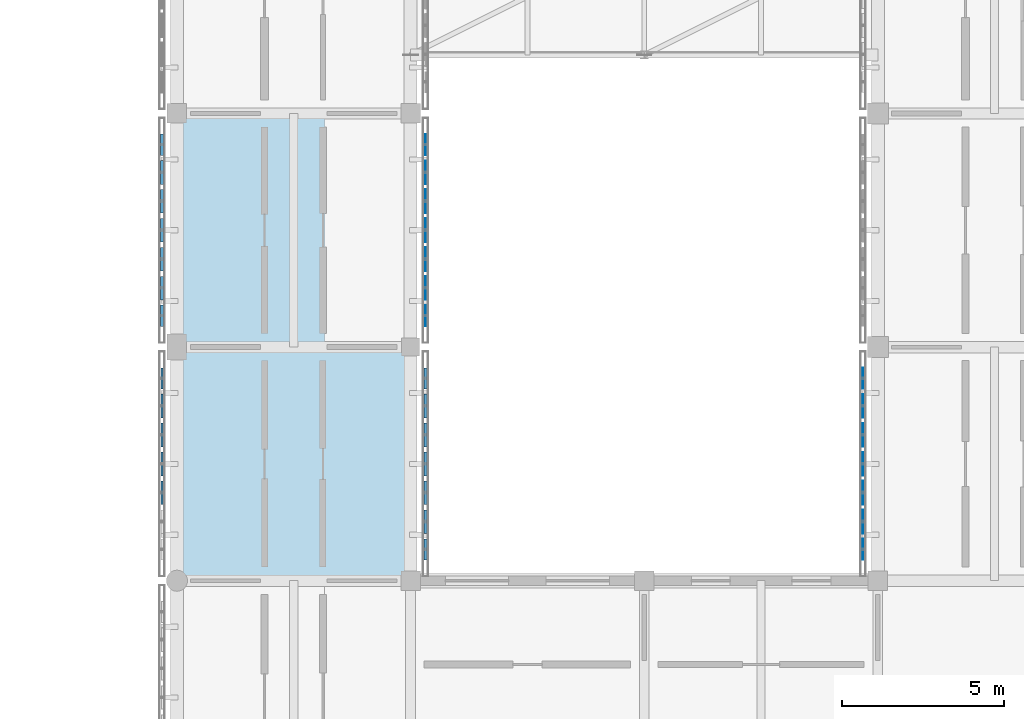
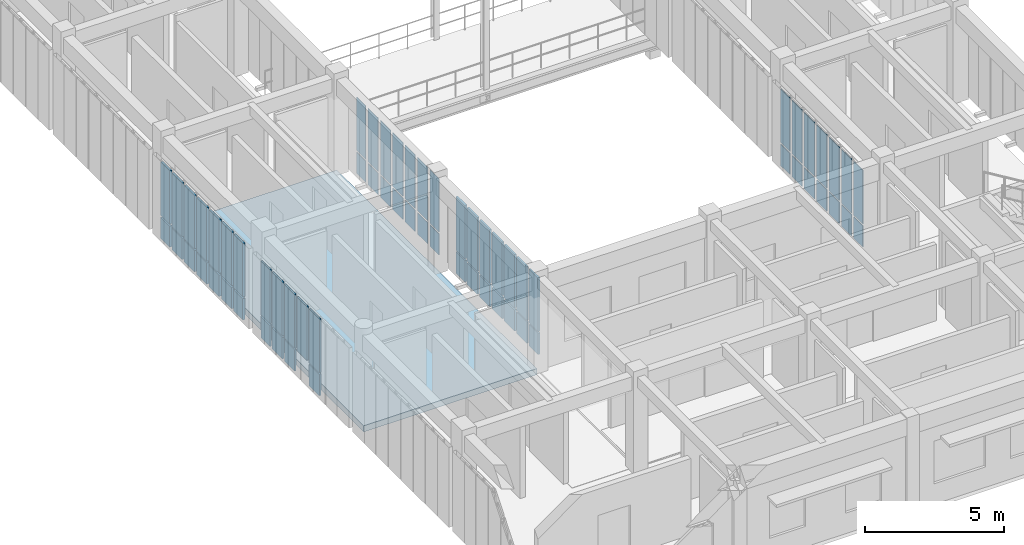
# One storey, part 108 of 171: 65 plates, 1 slab, 5 elements without a shape of their own.
"""IFC4 building model written with IfcOpenShell, lengths in metres."""

from ifc_helpers import new_model, si_unit, direction, frame, origin, origin_2d, place, context, subcontext, project, spatial, polyline, rectangle, outline, extrude, material, layer, layer_set, type_object, element, aggregate, save


model = new_model("IFC4")

# Units and contexts
model_context = context("Model", 3, precision=1e-05, world=origin(), true_north=direction((0.0, 1.0)))
body_context = subcontext(model_context, "Body", "Model", "MODEL_VIEW")
ifc_project = project(units=[si_unit("LENGTHUNIT", "METRE"), si_unit("AREAUNIT", "SQUARE_METRE"), si_unit("VOLUMEUNIT", "CUBIC_METRE"), si_unit("PLANEANGLEUNIT", "RADIAN"), si_unit("MASSUNIT", "GRAM", prefix="KILO")], contexts=[model_context])

# Site, building, storey
site_placement = place(None, origin())
site = spatial("IfcSite", under=ifc_project, at=site_placement, CompositionType="ELEMENT")
building_placement = place(site_placement, origin())
building = spatial("IfcBuilding", under=site, at=building_placement, Name="Aldebral Square Health Centre", CompositionType="ELEMENT")
storey_placement = place(building_placement, frame((0.0, 0.0, 4.5)))
storey = spatial("IfcBuildingStorey", under=building, at=storey_placement, Name="L01", CompositionType="ELEMENT", Elevation=4.5)

# Curtain wall, plates
ifc_material_1 = material(Name="Aluminium and low-E solar glass", Category="aluminium")
curtain_wall_type = type_object("IfcCurtainWallType", Name="CW-FIN-SYS", PredefinedType="USERDEFINED", material=ifc_material_1)
curtain_wall_1_placement = place(storey_placement, origin())
curtain_wall_1 = element("IfcCurtainWall", 1, at=curtain_wall_1_placement, inside=storey, type_object=curtain_wall_type, Name="L01 V5 finned curtain wall L01-V5-19-10-E", ObjectType="SOLAR_CURTAIN_WALL", PredefinedType="USERDEFINED")
ifc_material_2 = material(Name="Solar-control low-E double glass", Category="glass")
ifc_layer_1 = layer(ifc_material_2, 0.02001953125, Name="Solar-control low-E double glass", Category="glass")
ifc_layer_set_1 = layer_set([ifc_layer_1], Name="Solar-control low-E double glass")
plate_type_1 = type_object("IfcPlateType", Name="CWP-GLZ-1", PredefinedType="CURTAIN_PANEL", material=ifc_layer_set_1)
plate_1_placement = place(storey_placement, frame((144.4599609375, 72.9658203125, 0.074951171875), z_axis=(0.0, 0.0, 1.0), x_axis=(0.0, 1.0, 0.0)))
plate_1 = element("IfcPlate", 2, at=plate_1_placement, type_object=plate_type_1, Name="CW1 panel 1.1", PredefinedType="CURTAIN_PANEL", context=body_context, shape_type="SweptSolid", body=[
    extrude(rectangle(XDim=0.6513671875, YDim=0.02001953125, at=origin_2d()), origin(), (0.0, 0.0, 1.0), 0.9375),
])
plate_2_placement = place(storey_placement, frame((144.4599609375, 72.9658203125, 1.087646484375), z_axis=(0.0, 0.0, 1.0), x_axis=(0.0, 1.0, 0.0)))
plate_2 = element("IfcPlate", 3, at=plate_2_placement, type_object=plate_type_1, Name="CW1 panel 1.2", PredefinedType="CURTAIN_PANEL", context=body_context, shape_type="SweptSolid", body=[
    extrude(rectangle(XDim=0.6513671875, YDim=0.02001953125, at=origin_2d()), origin(), (0.0, 0.0, 1.0), 2.357421875),
])
plate_3_placement = place(storey_placement, frame((144.4599609375, 73.817138671875, 0.074951171875), z_axis=(0.0, 0.0, 1.0), x_axis=(0.0, 1.0, 0.0)))
plate_3 = element("IfcPlate", 4, at=plate_3_placement, type_object=plate_type_1, Name="CW1 panel 2.1", PredefinedType="CURTAIN_PANEL", context=body_context, shape_type="SweptSolid", body=[
    extrude(rectangle(XDim=0.7314453125, YDim=0.02001953125, at=origin_2d()), origin(), (0.0, 0.0, 1.0), 0.9375),
])
plate_4_placement = place(storey_placement, frame((144.4599609375, 73.817138671875, 1.087646484375), z_axis=(0.0, 0.0, 1.0), x_axis=(0.0, 1.0, 0.0)))
plate_4 = element("IfcPlate", 5, at=plate_4_placement, type_object=plate_type_1, Name="CW1 panel 2.2", PredefinedType="CURTAIN_PANEL", context=body_context, shape_type="SweptSolid", body=[
    extrude(rectangle(XDim=0.7314453125, YDim=0.02001953125, at=origin_2d()), origin(), (0.0, 0.0, 1.0), 2.357421875),
])
plate_5_placement = place(storey_placement, frame((144.4599609375, 74.70849609375, 0.074951171875), z_axis=(0.0, 0.0, 1.0), x_axis=(0.0, 1.0, 0.0)))
plate_5 = element("IfcPlate", 6, at=plate_5_placement, type_object=plate_type_1, Name="CW1 panel 3.1", PredefinedType="CURTAIN_PANEL", context=body_context, shape_type="SweptSolid", body=[
    extrude(rectangle(XDim=0.7314453125, YDim=0.02001953125, at=origin_2d()), origin(), (0.0, 0.0, 1.0), 0.9375),
])
plate_6_placement = place(storey_placement, frame((144.4599609375, 74.70849609375, 1.087646484375), z_axis=(0.0, 0.0, 1.0), x_axis=(0.0, 1.0, 0.0)))
plate_6 = element("IfcPlate", 7, at=plate_6_placement, type_object=plate_type_1, Name="CW1 panel 3.2", PredefinedType="CURTAIN_PANEL", context=body_context, shape_type="SweptSolid", body=[
    extrude(rectangle(XDim=0.7314453125, YDim=0.02001953125, at=origin_2d()), origin(), (0.0, 0.0, 1.0), 2.357421875),
])
plate_7_placement = place(storey_placement, frame((144.4599609375, 75.60009765625, 0.074951171875), z_axis=(0.0, 0.0, 1.0), x_axis=(0.0, 1.0, 0.0)))
plate_7 = element("IfcPlate", 8, at=plate_7_placement, type_object=plate_type_1, Name="CW1 panel 4.1", PredefinedType="CURTAIN_PANEL", context=body_context, shape_type="SweptSolid", body=[
    extrude(rectangle(XDim=0.7314453125, YDim=0.02001953125, at=origin_2d()), origin(), (0.0, 0.0, 1.0), 0.9375),
])
plate_8_placement = place(storey_placement, frame((144.4599609375, 75.60009765625, 1.087646484375), z_axis=(0.0, 0.0, 1.0), x_axis=(0.0, 1.0, 0.0)))
plate_8 = element("IfcPlate", 9, at=plate_8_placement, type_object=plate_type_1, Name="CW1 panel 4.2", PredefinedType="CURTAIN_PANEL", context=body_context, shape_type="SweptSolid", body=[
    extrude(rectangle(XDim=0.7314453125, YDim=0.02001953125, at=origin_2d()), origin(), (0.0, 0.0, 1.0), 2.357421875),
])
plate_9_placement = place(storey_placement, frame((144.4599609375, 76.491455078125, 0.074951171875), z_axis=(0.0, 0.0, 1.0), x_axis=(0.0, 1.0, 0.0)))
plate_9 = element("IfcPlate", 10, at=plate_9_placement, type_object=plate_type_1, Name="CW1 panel 5.1", PredefinedType="CURTAIN_PANEL", context=body_context, shape_type="SweptSolid", body=[
    extrude(rectangle(XDim=0.7314453125, YDim=0.02001953125, at=origin_2d()), origin(), (0.0, 0.0, 1.0), 0.9375),
])
plate_10_placement = place(storey_placement, frame((144.4599609375, 76.491455078125, 1.087646484375), z_axis=(0.0, 0.0, 1.0), x_axis=(0.0, 1.0, 0.0)))
plate_10 = element("IfcPlate", 11, at=plate_10_placement, type_object=plate_type_1, Name="CW1 panel 5.2", PredefinedType="CURTAIN_PANEL", context=body_context, shape_type="SweptSolid", body=[
    extrude(rectangle(XDim=0.7314453125, YDim=0.02001953125, at=origin_2d()), origin(), (0.0, 0.0, 1.0), 2.357421875),
])
plate_11_placement = place(storey_placement, frame((144.4599609375, 77.3828125, 0.074951171875), z_axis=(0.0, 0.0, 1.0), x_axis=(0.0, 1.0, 0.0)))
plate_11 = element("IfcPlate", 12, at=plate_11_placement, type_object=plate_type_1, Name="CW1 panel 6.1", PredefinedType="CURTAIN_PANEL", context=body_context, shape_type="SweptSolid", body=[
    extrude(rectangle(XDim=0.7314453125, YDim=0.02001953125, at=origin_2d()), origin(), (0.0, 0.0, 1.0), 0.9375),
])
plate_12_placement = place(storey_placement, frame((144.4599609375, 77.3828125, 1.087646484375), z_axis=(0.0, 0.0, 1.0), x_axis=(0.0, 1.0, 0.0)))
plate_12 = element("IfcPlate", 13, at=plate_12_placement, type_object=plate_type_1, Name="CW1 panel 6.2", PredefinedType="CURTAIN_PANEL", context=body_context, shape_type="SweptSolid", body=[
    extrude(rectangle(XDim=0.7314453125, YDim=0.02001953125, at=origin_2d()), origin(), (0.0, 0.0, 1.0), 2.357421875),
])
plate_13_placement = place(storey_placement, frame((144.4599609375, 78.234375, 0.074951171875), z_axis=(0.0, 0.0, 1.0), x_axis=(0.0, 1.0, 0.0)))
plate_13 = element("IfcPlate", 14, at=plate_13_placement, type_object=plate_type_1, Name="CW1 panel 7.1", PredefinedType="CURTAIN_PANEL", context=body_context, shape_type="SweptSolid", body=[
    extrude(rectangle(XDim=0.6513671875, YDim=0.02001953125, at=origin_2d()), origin(), (0.0, 0.0, 1.0), 0.9375),
])
plate_14_placement = place(storey_placement, frame((144.4599609375, 78.234375, 1.087646484375), z_axis=(0.0, 0.0, 1.0), x_axis=(0.0, 1.0, 0.0)))
plate_14 = element("IfcPlate", 15, at=plate_14_placement, type_object=plate_type_1, Name="CW1 panel 7.2", PredefinedType="CURTAIN_PANEL", context=body_context, shape_type="SweptSolid", body=[
    extrude(rectangle(XDim=0.6513671875, YDim=0.02001953125, at=origin_2d()), origin(), (0.0, 0.0, 1.0), 2.357421875),
])
aggregate(curtain_wall_1, [plate_1, plate_2, plate_3, plate_4, plate_5, plate_6, plate_7, plate_8, plate_9, plate_10, plate_11, plate_12, plate_13, plate_14])

curtain_wall_2_placement = place(storey_placement, origin())
curtain_wall_2 = element("IfcCurtainWall", 16, at=curtain_wall_2_placement, inside=storey, type_object=curtain_wall_type, Name="L01 V5 finned curtain wall L01-V5-22-09-W", ObjectType="SOLAR_CURTAIN_WALL", PredefinedType="USERDEFINED")
ifc_layer_2 = layer(ifc_material_2, 0.030029296875, Name="Solar-control low-E double glass", Category="glass")
ifc_layer_set_2 = layer_set([ifc_layer_2], Name="Solar-control low-E double glass")
plate_type_2 = type_object("IfcPlateType", Name="CWP-GLZ-2", PredefinedType="CURTAIN_PANEL", material=ifc_layer_set_2)
plate_15_placement = place(storey_placement, frame((157.93994140625, 71.0341796875, 0.074951171875), z_axis=(0.0, 0.0, 1.0), x_axis=(0.0, -1.0, 0.0)))
plate_15 = element("IfcPlate", 17, at=plate_15_placement, type_object=plate_type_2, Name="CW1 panel 1.1", PredefinedType="CURTAIN_PANEL", context=body_context, shape_type="SweptSolid", body=[
    extrude(rectangle(XDim=0.6513671875, YDim=0.030029296875, at=origin_2d()), origin(), (0.0, 0.0, 1.0), 0.9375),
])
plate_16_placement = place(storey_placement, frame((157.93994140625, 71.0341796875, 1.087646484375), z_axis=(0.0, 0.0, 1.0), x_axis=(0.0, -1.0, 0.0)))
plate_16 = element("IfcPlate", 18, at=plate_16_placement, type_object=plate_type_2, Name="CW1 panel 1.2", PredefinedType="CURTAIN_PANEL", context=body_context, shape_type="SweptSolid", body=[
    extrude(rectangle(XDim=0.6513671875, YDim=0.030029296875, at=origin_2d()), origin(), (0.0, 0.0, 1.0), 2.357421875),
])
plate_17_placement = place(storey_placement, frame((157.93994140625, 70.182861328125, 0.074951171875), z_axis=(0.0, 0.0, 1.0), x_axis=(0.0, -1.0, 0.0)))
plate_17 = element("IfcPlate", 19, at=plate_17_placement, type_object=plate_type_2, Name="CW1 panel 2.1", PredefinedType="CURTAIN_PANEL", context=body_context, shape_type="SweptSolid", body=[
    extrude(rectangle(XDim=0.7314453125, YDim=0.030029296875, at=origin_2d()), origin(), (0.0, 0.0, 1.0), 0.9375),
])
plate_18_placement = place(storey_placement, frame((157.93994140625, 70.182861328125, 1.087646484375), z_axis=(0.0, 0.0, 1.0), x_axis=(0.0, -1.0, 0.0)))
plate_18 = element("IfcPlate", 20, at=plate_18_placement, type_object=plate_type_2, Name="CW1 panel 2.2", PredefinedType="CURTAIN_PANEL", context=body_context, shape_type="SweptSolid", body=[
    extrude(rectangle(XDim=0.7314453125, YDim=0.030029296875, at=origin_2d()), origin(), (0.0, 0.0, 1.0), 2.357421875),
])
plate_19_placement = place(storey_placement, frame((157.93994140625, 69.29150390625, 0.074951171875), z_axis=(0.0, 0.0, 1.0), x_axis=(0.0, -1.0, 0.0)))
plate_19 = element("IfcPlate", 21, at=plate_19_placement, type_object=plate_type_2, Name="CW1 panel 3.1", PredefinedType="CURTAIN_PANEL", context=body_context, shape_type="SweptSolid", body=[
    extrude(rectangle(XDim=0.7314453125, YDim=0.030029296875, at=origin_2d()), origin(), (0.0, 0.0, 1.0), 0.9375),
])
plate_20_placement = place(storey_placement, frame((157.93994140625, 69.29150390625, 1.087646484375), z_axis=(0.0, 0.0, 1.0), x_axis=(0.0, -1.0, 0.0)))
plate_20 = element("IfcPlate", 22, at=plate_20_placement, type_object=plate_type_2, Name="CW1 panel 3.2", PredefinedType="CURTAIN_PANEL", context=body_context, shape_type="SweptSolid", body=[
    extrude(rectangle(XDim=0.7314453125, YDim=0.030029296875, at=origin_2d()), origin(), (0.0, 0.0, 1.0), 2.357421875),
])
plate_21_placement = place(storey_placement, frame((157.93994140625, 68.39990234375, 0.074951171875), z_axis=(0.0, 0.0, 1.0), x_axis=(0.0, -1.0, 0.0)))
plate_21 = element("IfcPlate", 23, at=plate_21_placement, type_object=plate_type_2, Name="CW1 panel 4.1", PredefinedType="CURTAIN_PANEL", context=body_context, shape_type="SweptSolid", body=[
    extrude(rectangle(XDim=0.7314453125, YDim=0.030029296875, at=origin_2d()), origin(), (0.0, 0.0, 1.0), 0.9375),
])
plate_22_placement = place(storey_placement, frame((157.93994140625, 68.39990234375, 1.087646484375), z_axis=(0.0, 0.0, 1.0), x_axis=(0.0, -1.0, 0.0)))
plate_22 = element("IfcPlate", 24, at=plate_22_placement, type_object=plate_type_2, Name="CW1 panel 4.2", PredefinedType="CURTAIN_PANEL", context=body_context, shape_type="SweptSolid", body=[
    extrude(rectangle(XDim=0.7314453125, YDim=0.030029296875, at=origin_2d()), origin(), (0.0, 0.0, 1.0), 2.357421875),
])
plate_23_placement = place(storey_placement, frame((157.93994140625, 67.508544921875, 0.074951171875), z_axis=(0.0, 0.0, 1.0), x_axis=(0.0, -1.0, 0.0)))
plate_23 = element("IfcPlate", 25, at=plate_23_placement, type_object=plate_type_2, Name="CW1 panel 5.1", PredefinedType="CURTAIN_PANEL", context=body_context, shape_type="SweptSolid", body=[
    extrude(rectangle(XDim=0.7314453125, YDim=0.030029296875, at=origin_2d()), origin(), (0.0, 0.0, 1.0), 0.9375),
])
plate_24_placement = place(storey_placement, frame((157.93994140625, 67.508544921875, 1.087646484375), z_axis=(0.0, 0.0, 1.0), x_axis=(0.0, -1.0, 0.0)))
plate_24 = element("IfcPlate", 26, at=plate_24_placement, type_object=plate_type_2, Name="CW1 panel 5.2", PredefinedType="CURTAIN_PANEL", context=body_context, shape_type="SweptSolid", body=[
    extrude(rectangle(XDim=0.7314453125, YDim=0.030029296875, at=origin_2d()), origin(), (0.0, 0.0, 1.0), 2.357421875),
])
plate_25_placement = place(storey_placement, frame((157.93994140625, 66.6171875, 0.074951171875), z_axis=(0.0, 0.0, 1.0), x_axis=(0.0, -1.0, 0.0)))
plate_25 = element("IfcPlate", 27, at=plate_25_placement, type_object=plate_type_2, Name="CW1 panel 6.1", PredefinedType="CURTAIN_PANEL", context=body_context, shape_type="SweptSolid", body=[
    extrude(rectangle(XDim=0.7314453125, YDim=0.030029296875, at=origin_2d()), origin(), (0.0, 0.0, 1.0), 0.9375),
])
plate_26_placement = place(storey_placement, frame((157.93994140625, 66.6171875, 1.087646484375), z_axis=(0.0, 0.0, 1.0), x_axis=(0.0, -1.0, 0.0)))
plate_26 = element("IfcPlate", 28, at=plate_26_placement, type_object=plate_type_2, Name="CW1 panel 6.2", PredefinedType="CURTAIN_PANEL", context=body_context, shape_type="SweptSolid", body=[
    extrude(rectangle(XDim=0.7314453125, YDim=0.030029296875, at=origin_2d()), origin(), (0.0, 0.0, 1.0), 2.357421875),
])
plate_27_placement = place(storey_placement, frame((157.93994140625, 65.765625, 0.074951171875), z_axis=(0.0, 0.0, 1.0), x_axis=(0.0, -1.0, 0.0)))
plate_27 = element("IfcPlate", 29, at=plate_27_placement, type_object=plate_type_2, Name="CW1 panel 7.1", PredefinedType="CURTAIN_PANEL", context=body_context, shape_type="SweptSolid", body=[
    extrude(rectangle(XDim=0.6513671875, YDim=0.030029296875, at=origin_2d()), origin(), (0.0, 0.0, 1.0), 0.9375),
])
plate_28_placement = place(storey_placement, frame((157.93994140625, 65.765625, 1.087646484375), z_axis=(0.0, 0.0, 1.0), x_axis=(0.0, -1.0, 0.0)))
plate_28 = element("IfcPlate", 30, at=plate_28_placement, type_object=plate_type_2, Name="CW1 panel 7.2", PredefinedType="CURTAIN_PANEL", context=body_context, shape_type="SweptSolid", body=[
    extrude(rectangle(XDim=0.6513671875, YDim=0.030029296875, at=origin_2d()), origin(), (0.0, 0.0, 1.0), 2.357421875),
])
aggregate(curtain_wall_2, [plate_15, plate_16, plate_17, plate_18, plate_19, plate_20, plate_21, plate_22, plate_23, plate_24, plate_25, plate_26, plate_27, plate_28])

curtain_wall_3_placement = place(storey_placement, origin())
curtain_wall_3 = element("IfcCurtainWall", 31, at=curtain_wall_3_placement, inside=storey, type_object=curtain_wall_type, Name="L01 V5 finned curtain wall L01-V5-19-09-W", ObjectType="SOLAR_CURTAIN_WALL", PredefinedType="USERDEFINED")
ifc_layer_3 = layer(ifc_material_2, 0.070068359375, Name="Solar-control low-E double glass", Category="glass")
ifc_layer_set_3 = layer_set([ifc_layer_3], Name="Solar-control low-E double glass")
plate_type_3 = type_object("IfcPlateType", Name="CWP-GLZ-6", PredefinedType="CURTAIN_PANEL", material=ifc_layer_set_3)
plate_29_placement = place(storey_placement, frame((136.340087890625, 71.0341796875, 0.074951171875), z_axis=(0.0, 0.0, 1.0), x_axis=(0.0, -1.0, 0.0)))
plate_29 = element("IfcPlate", 32, at=plate_29_placement, type_object=plate_type_3, Name="CW1 panel 1.1", PredefinedType="CURTAIN_PANEL", context=body_context, shape_type="SweptSolid", body=[
    extrude(rectangle(XDim=0.6513671875, YDim=0.070068359375, at=origin_2d()), origin(), (0.0, 0.0, 1.0), 0.9375),
])
plate_30_placement = place(storey_placement, frame((136.340087890625, 71.0341796875, 1.087646484375), z_axis=(0.0, 0.0, 1.0), x_axis=(0.0, -1.0, 0.0)))
plate_30 = element("IfcPlate", 33, at=plate_30_placement, type_object=plate_type_3, Name="CW1 panel 1.2", PredefinedType="CURTAIN_PANEL", context=body_context, shape_type="SweptSolid", body=[
    extrude(rectangle(XDim=0.6513671875, YDim=0.070068359375, at=origin_2d()), origin(), (0.0, 0.0, 1.0), 2.357421875),
])
plate_31_placement = place(storey_placement, frame((136.340087890625, 70.182861328125, 0.074951171875), z_axis=(0.0, 0.0, 1.0), x_axis=(0.0, -1.0, 0.0)))
plate_31 = element("IfcPlate", 34, at=plate_31_placement, type_object=plate_type_3, Name="CW1 panel 2.1", PredefinedType="CURTAIN_PANEL", context=body_context, shape_type="SweptSolid", body=[
    extrude(rectangle(XDim=0.7314453125, YDim=0.070068359375, at=origin_2d()), origin(), (0.0, 0.0, 1.0), 0.9375),
])
plate_32_placement = place(storey_placement, frame((136.340087890625, 70.182861328125, 1.087646484375), z_axis=(0.0, 0.0, 1.0), x_axis=(0.0, -1.0, 0.0)))
plate_32 = element("IfcPlate", 35, at=plate_32_placement, type_object=plate_type_3, Name="CW1 panel 2.2", PredefinedType="CURTAIN_PANEL", context=body_context, shape_type="SweptSolid", body=[
    extrude(rectangle(XDim=0.7314453125, YDim=0.070068359375, at=origin_2d()), origin(), (0.0, 0.0, 1.0), 2.357421875),
])
plate_33_placement = place(storey_placement, frame((136.340087890625, 69.29150390625, 0.074951171875), z_axis=(0.0, 0.0, 1.0), x_axis=(0.0, -1.0, 0.0)))
plate_33 = element("IfcPlate", 36, at=plate_33_placement, type_object=plate_type_3, Name="CW1 panel 3.1", PredefinedType="CURTAIN_PANEL", context=body_context, shape_type="SweptSolid", body=[
    extrude(rectangle(XDim=0.7314453125, YDim=0.070068359375, at=origin_2d()), origin(), (0.0, 0.0, 1.0), 0.9375),
])
plate_34_placement = place(storey_placement, frame((136.340087890625, 69.29150390625, 1.087646484375), z_axis=(0.0, 0.0, 1.0), x_axis=(0.0, -1.0, 0.0)))
plate_34 = element("IfcPlate", 37, at=plate_34_placement, type_object=plate_type_3, Name="CW1 panel 3.2", PredefinedType="CURTAIN_PANEL", context=body_context, shape_type="SweptSolid", body=[
    extrude(rectangle(XDim=0.7314453125, YDim=0.070068359375, at=origin_2d()), origin(), (0.0, 0.0, 1.0), 2.357421875),
])
plate_35_placement = place(storey_placement, frame((136.340087890625, 68.39990234375, 1.087646484375), z_axis=(0.0, 0.0, 1.0), x_axis=(0.0, -1.0, 0.0)))
plate_35 = element("IfcPlate", 38, at=plate_35_placement, type_object=plate_type_3, Name="CW1 panel 4.2", PredefinedType="CURTAIN_PANEL", context=body_context, shape_type="SweptSolid", body=[
    extrude(rectangle(XDim=0.7314453125, YDim=0.070068359375, at=origin_2d()), origin(), (0.0, 0.0, 1.0), 2.357421875),
])
plate_36_placement = place(storey_placement, frame((136.340087890625, 67.508544921875, 0.074951171875), z_axis=(0.0, 0.0, 1.0), x_axis=(0.0, -1.0, 0.0)))
plate_36 = element("IfcPlate", 39, at=plate_36_placement, type_object=plate_type_3, Name="CW1 panel 5.1", PredefinedType="CURTAIN_PANEL", context=body_context, shape_type="SweptSolid", body=[
    extrude(rectangle(XDim=0.7314453125, YDim=0.070068359375, at=origin_2d()), origin(), (0.0, 0.0, 1.0), 0.9375),
])
plate_37_placement = place(storey_placement, frame((136.340087890625, 67.508544921875, 1.087646484375), z_axis=(0.0, 0.0, 1.0), x_axis=(0.0, -1.0, 0.0)))
plate_37 = element("IfcPlate", 40, at=plate_37_placement, type_object=plate_type_3, Name="CW1 panel 5.2", PredefinedType="CURTAIN_PANEL", context=body_context, shape_type="SweptSolid", body=[
    extrude(rectangle(XDim=0.7314453125, YDim=0.070068359375, at=origin_2d()), origin(), (0.0, 0.0, 1.0), 2.357421875),
])
aggregate(curtain_wall_3, [plate_29, plate_30, plate_31, plate_32, plate_33, plate_34, plate_35, plate_36, plate_37])

curtain_wall_4_placement = place(storey_placement, origin())
curtain_wall_4 = element("IfcCurtainWall", 41, at=curtain_wall_4_placement, inside=storey, type_object=curtain_wall_type, Name="L01 V5 finned curtain wall L01-V5-19-09-E", ObjectType="SOLAR_CURTAIN_WALL", PredefinedType="USERDEFINED")
ifc_layer_4 = layer(ifc_material_2, 0.080078125, Name="Solar-control low-E double glass", Category="glass")
ifc_layer_set_4 = layer_set([ifc_layer_4], Name="Solar-control low-E double glass")
plate_type_4 = type_object("IfcPlateType", Name="CWP-GLZ-7", PredefinedType="CURTAIN_PANEL", material=ifc_layer_set_4)
plate_38_placement = place(storey_placement, frame((144.4599609375, 65.765625, 0.074951171875), z_axis=(0.0, 0.0, 1.0), x_axis=(0.0, 1.0, 0.0)))
plate_38 = element("IfcPlate", 42, at=plate_38_placement, type_object=plate_type_4, Name="CW1 panel 1.1", PredefinedType="CURTAIN_PANEL", context=body_context, shape_type="SweptSolid", body=[
    extrude(rectangle(XDim=0.6513671875, YDim=0.080078125, at=origin_2d()), origin(), (0.0, 0.0, 1.0), 0.9375),
])
plate_39_placement = place(storey_placement, frame((144.4599609375, 65.765625, 1.087646484375), z_axis=(0.0, 0.0, 1.0), x_axis=(0.0, 1.0, 0.0)))
plate_39 = element("IfcPlate", 43, at=plate_39_placement, type_object=plate_type_4, Name="CW1 panel 1.2", PredefinedType="CURTAIN_PANEL", context=body_context, shape_type="SweptSolid", body=[
    extrude(rectangle(XDim=0.6513671875, YDim=0.080078125, at=origin_2d()), origin(), (0.0, 0.0, 1.0), 2.357421875),
])
plate_40_placement = place(storey_placement, frame((144.4599609375, 66.6171875, 0.074951171875), z_axis=(0.0, 0.0, 1.0), x_axis=(0.0, 1.0, 0.0)))
plate_40 = element("IfcPlate", 44, at=plate_40_placement, type_object=plate_type_4, Name="CW1 panel 2.1", PredefinedType="CURTAIN_PANEL", context=body_context, shape_type="SweptSolid", body=[
    extrude(rectangle(XDim=0.7314453125, YDim=0.080078125, at=origin_2d()), origin(), (0.0, 0.0, 1.0), 0.9375),
])
plate_41_placement = place(storey_placement, frame((144.4599609375, 66.6171875, 1.087646484375), z_axis=(0.0, 0.0, 1.0), x_axis=(0.0, 1.0, 0.0)))
plate_41 = element("IfcPlate", 45, at=plate_41_placement, type_object=plate_type_4, Name="CW1 panel 2.2", PredefinedType="CURTAIN_PANEL", context=body_context, shape_type="SweptSolid", body=[
    extrude(rectangle(XDim=0.7314453125, YDim=0.080078125, at=origin_2d()), origin(), (0.0, 0.0, 1.0), 2.357421875),
])
plate_42_placement = place(storey_placement, frame((144.4599609375, 67.508544921875, 0.074951171875), z_axis=(0.0, 0.0, 1.0), x_axis=(0.0, 1.0, 0.0)))
plate_42 = element("IfcPlate", 46, at=plate_42_placement, type_object=plate_type_4, Name="CW1 panel 3.1", PredefinedType="CURTAIN_PANEL", context=body_context, shape_type="SweptSolid", body=[
    extrude(rectangle(XDim=0.7314453125, YDim=0.080078125, at=origin_2d()), origin(), (0.0, 0.0, 1.0), 0.9375),
])
plate_43_placement = place(storey_placement, frame((144.4599609375, 67.508544921875, 1.087646484375), z_axis=(0.0, 0.0, 1.0), x_axis=(0.0, 1.0, 0.0)))
plate_43 = element("IfcPlate", 47, at=plate_43_placement, type_object=plate_type_4, Name="CW1 panel 3.2", PredefinedType="CURTAIN_PANEL", context=body_context, shape_type="SweptSolid", body=[
    extrude(rectangle(XDim=0.7314453125, YDim=0.080078125, at=origin_2d()), origin(), (0.0, 0.0, 1.0), 2.357421875),
])
plate_44_placement = place(storey_placement, frame((144.4599609375, 68.39990234375, 0.074951171875), z_axis=(0.0, 0.0, 1.0), x_axis=(0.0, 1.0, 0.0)))
plate_44 = element("IfcPlate", 48, at=plate_44_placement, type_object=plate_type_4, Name="CW1 panel 4.1", PredefinedType="CURTAIN_PANEL", context=body_context, shape_type="SweptSolid", body=[
    extrude(rectangle(XDim=0.7314453125, YDim=0.080078125, at=origin_2d()), origin(), (0.0, 0.0, 1.0), 0.9375),
])
plate_45_placement = place(storey_placement, frame((144.4599609375, 68.39990234375, 1.087646484375), z_axis=(0.0, 0.0, 1.0), x_axis=(0.0, 1.0, 0.0)))
plate_45 = element("IfcPlate", 49, at=plate_45_placement, type_object=plate_type_4, Name="CW1 panel 4.2", PredefinedType="CURTAIN_PANEL", context=body_context, shape_type="SweptSolid", body=[
    extrude(rectangle(XDim=0.7314453125, YDim=0.080078125, at=origin_2d()), origin(), (0.0, 0.0, 1.0), 2.357421875),
])
plate_46_placement = place(storey_placement, frame((144.4599609375, 69.29150390625, 0.074951171875), z_axis=(0.0, 0.0, 1.0), x_axis=(0.0, 1.0, 0.0)))
plate_46 = element("IfcPlate", 50, at=plate_46_placement, type_object=plate_type_4, Name="CW1 panel 5.1", PredefinedType="CURTAIN_PANEL", context=body_context, shape_type="SweptSolid", body=[
    extrude(rectangle(XDim=0.7314453125, YDim=0.080078125, at=origin_2d()), origin(), (0.0, 0.0, 1.0), 0.9375),
])
plate_47_placement = place(storey_placement, frame((144.4599609375, 69.29150390625, 1.087646484375), z_axis=(0.0, 0.0, 1.0), x_axis=(0.0, 1.0, 0.0)))
plate_47 = element("IfcPlate", 51, at=plate_47_placement, type_object=plate_type_4, Name="CW1 panel 5.2", PredefinedType="CURTAIN_PANEL", context=body_context, shape_type="SweptSolid", body=[
    extrude(rectangle(XDim=0.7314453125, YDim=0.080078125, at=origin_2d()), origin(), (0.0, 0.0, 1.0), 2.357421875),
])
plate_48_placement = place(storey_placement, frame((144.4599609375, 70.182861328125, 0.074951171875), z_axis=(0.0, 0.0, 1.0), x_axis=(0.0, 1.0, 0.0)))
plate_48 = element("IfcPlate", 52, at=plate_48_placement, type_object=plate_type_4, Name="CW1 panel 6.1", PredefinedType="CURTAIN_PANEL", context=body_context, shape_type="SweptSolid", body=[
    extrude(rectangle(XDim=0.7314453125, YDim=0.080078125, at=origin_2d()), origin(), (0.0, 0.0, 1.0), 0.9375),
])
plate_49_placement = place(storey_placement, frame((144.4599609375, 70.182861328125, 1.087646484375), z_axis=(0.0, 0.0, 1.0), x_axis=(0.0, 1.0, 0.0)))
plate_49 = element("IfcPlate", 53, at=plate_49_placement, type_object=plate_type_4, Name="CW1 panel 6.2", PredefinedType="CURTAIN_PANEL", context=body_context, shape_type="SweptSolid", body=[
    extrude(rectangle(XDim=0.7314453125, YDim=0.080078125, at=origin_2d()), origin(), (0.0, 0.0, 1.0), 2.357421875),
])
plate_50_placement = place(storey_placement, frame((144.4599609375, 71.0341796875, 0.074951171875), z_axis=(0.0, 0.0, 1.0), x_axis=(0.0, 1.0, 0.0)))
plate_50 = element("IfcPlate", 54, at=plate_50_placement, type_object=plate_type_4, Name="CW1 panel 7.1", PredefinedType="CURTAIN_PANEL", context=body_context, shape_type="SweptSolid", body=[
    extrude(rectangle(XDim=0.6513671875, YDim=0.080078125, at=origin_2d()), origin(), (0.0, 0.0, 1.0), 0.9375),
])
plate_51_placement = place(storey_placement, frame((144.4599609375, 71.0341796875, 1.087646484375), z_axis=(0.0, 0.0, 1.0), x_axis=(0.0, 1.0, 0.0)))
plate_51 = element("IfcPlate", 55, at=plate_51_placement, type_object=plate_type_4, Name="CW1 panel 7.2", PredefinedType="CURTAIN_PANEL", context=body_context, shape_type="SweptSolid", body=[
    extrude(rectangle(XDim=0.6513671875, YDim=0.080078125, at=origin_2d()), origin(), (0.0, 0.0, 1.0), 2.357421875),
])
aggregate(curtain_wall_4, [plate_38, plate_39, plate_40, plate_41, plate_42, plate_43, plate_44, plate_45, plate_46, plate_47, plate_48, plate_49, plate_50, plate_51])

curtain_wall_5_placement = place(storey_placement, origin())
curtain_wall_5 = element("IfcCurtainWall", 56, at=curtain_wall_5_placement, inside=storey, type_object=curtain_wall_type, Name="L01 V5 finned curtain wall L01-V5-19-10-W", ObjectType="SOLAR_CURTAIN_WALL", PredefinedType="USERDEFINED")
ifc_layer_5 = layer(ifc_material_2, 0.090087890625, Name="Solar-control low-E double glass", Category="glass")
ifc_layer_set_5 = layer_set([ifc_layer_5], Name="Solar-control low-E double glass")
plate_type_5 = type_object("IfcPlateType", Name="CWP-GLZ-8", PredefinedType="CURTAIN_PANEL", material=ifc_layer_set_5)
plate_52_placement = place(storey_placement, frame((136.340087890625, 78.234375, 0.074951171875), z_axis=(0.0, 0.0, 1.0), x_axis=(0.0, -1.0, 0.0)))
plate_52 = element("IfcPlate", 57, at=plate_52_placement, type_object=plate_type_5, Name="CW1 panel 1.1", PredefinedType="CURTAIN_PANEL", context=body_context, shape_type="SweptSolid", body=[
    extrude(rectangle(XDim=0.6513671875, YDim=0.090087890625, at=origin_2d()), origin(), (0.0, 0.0, 1.0), 0.9375),
])
plate_53_placement = place(storey_placement, frame((136.340087890625, 78.234375, 1.087646484375), z_axis=(0.0, 0.0, 1.0), x_axis=(0.0, -1.0, 0.0)))
plate_53 = element("IfcPlate", 58, at=plate_53_placement, type_object=plate_type_5, Name="CW1 panel 1.2", PredefinedType="CURTAIN_PANEL", context=body_context, shape_type="SweptSolid", body=[
    extrude(rectangle(XDim=0.6513671875, YDim=0.090087890625, at=origin_2d()), origin(), (0.0, 0.0, 1.0), 2.357421875),
])
plate_54_placement = place(storey_placement, frame((136.340087890625, 77.3828125, 0.074951171875), z_axis=(0.0, 0.0, 1.0), x_axis=(0.0, -1.0, 0.0)))
plate_54 = element("IfcPlate", 59, at=plate_54_placement, type_object=plate_type_5, Name="CW1 panel 2.1", PredefinedType="CURTAIN_PANEL", context=body_context, shape_type="SweptSolid", body=[
    extrude(rectangle(XDim=0.7314453125, YDim=0.090087890625, at=origin_2d()), origin(), (0.0, 0.0, 1.0), 0.9375),
])
plate_55_placement = place(storey_placement, frame((136.340087890625, 77.3828125, 1.087646484375), z_axis=(0.0, 0.0, 1.0), x_axis=(0.0, -1.0, 0.0)))
plate_55 = element("IfcPlate", 60, at=plate_55_placement, type_object=plate_type_5, Name="CW1 panel 2.2", PredefinedType="CURTAIN_PANEL", context=body_context, shape_type="SweptSolid", body=[
    extrude(rectangle(XDim=0.7314453125, YDim=0.090087890625, at=origin_2d()), origin(), (0.0, 0.0, 1.0), 2.357421875),
])
plate_56_placement = place(storey_placement, frame((136.340087890625, 76.491455078125, 0.074951171875), z_axis=(0.0, 0.0, 1.0), x_axis=(0.0, -1.0, 0.0)))
plate_56 = element("IfcPlate", 61, at=plate_56_placement, type_object=plate_type_5, Name="CW1 panel 3.1", PredefinedType="CURTAIN_PANEL", context=body_context, shape_type="SweptSolid", body=[
    extrude(rectangle(XDim=0.7314453125, YDim=0.090087890625, at=origin_2d()), origin(), (0.0, 0.0, 1.0), 0.9375),
])
plate_57_placement = place(storey_placement, frame((136.340087890625, 76.491455078125, 1.087646484375), z_axis=(0.0, 0.0, 1.0), x_axis=(0.0, -1.0, 0.0)))
plate_57 = element("IfcPlate", 62, at=plate_57_placement, type_object=plate_type_5, Name="CW1 panel 3.2", PredefinedType="CURTAIN_PANEL", context=body_context, shape_type="SweptSolid", body=[
    extrude(rectangle(XDim=0.7314453125, YDim=0.090087890625, at=origin_2d()), origin(), (0.0, 0.0, 1.0), 2.357421875),
])
plate_58_placement = place(storey_placement, frame((136.340087890625, 75.60009765625, 0.074951171875), z_axis=(0.0, 0.0, 1.0), x_axis=(0.0, -1.0, 0.0)))
plate_58 = element("IfcPlate", 63, at=plate_58_placement, type_object=plate_type_5, Name="CW1 panel 4.1", PredefinedType="CURTAIN_PANEL", context=body_context, shape_type="SweptSolid", body=[
    extrude(rectangle(XDim=0.7314453125, YDim=0.090087890625, at=origin_2d()), origin(), (0.0, 0.0, 1.0), 0.9375),
])
plate_59_placement = place(storey_placement, frame((136.340087890625, 75.60009765625, 1.087646484375), z_axis=(0.0, 0.0, 1.0), x_axis=(0.0, -1.0, 0.0)))
plate_59 = element("IfcPlate", 64, at=plate_59_placement, type_object=plate_type_5, Name="CW1 panel 4.2", PredefinedType="CURTAIN_PANEL", context=body_context, shape_type="SweptSolid", body=[
    extrude(rectangle(XDim=0.7314453125, YDim=0.090087890625, at=origin_2d()), origin(), (0.0, 0.0, 1.0), 2.357421875),
])
plate_60_placement = place(storey_placement, frame((136.340087890625, 74.70849609375, 0.074951171875), z_axis=(0.0, 0.0, 1.0), x_axis=(0.0, -1.0, 0.0)))
plate_60 = element("IfcPlate", 65, at=plate_60_placement, type_object=plate_type_5, Name="CW1 panel 5.1", PredefinedType="CURTAIN_PANEL", context=body_context, shape_type="SweptSolid", body=[
    extrude(rectangle(XDim=0.7314453125, YDim=0.090087890625, at=origin_2d()), origin(), (0.0, 0.0, 1.0), 0.9375),
])
plate_61_placement = place(storey_placement, frame((136.340087890625, 74.70849609375, 1.087646484375), z_axis=(0.0, 0.0, 1.0), x_axis=(0.0, -1.0, 0.0)))
plate_61 = element("IfcPlate", 66, at=plate_61_placement, type_object=plate_type_5, Name="CW1 panel 5.2", PredefinedType="CURTAIN_PANEL", context=body_context, shape_type="SweptSolid", body=[
    extrude(rectangle(XDim=0.7314453125, YDim=0.090087890625, at=origin_2d()), origin(), (0.0, 0.0, 1.0), 2.357421875),
])
plate_62_placement = place(storey_placement, frame((136.340087890625, 73.817138671875, 0.074951171875), z_axis=(0.0, 0.0, 1.0), x_axis=(0.0, -1.0, 0.0)))
plate_62 = element("IfcPlate", 67, at=plate_62_placement, type_object=plate_type_5, Name="CW1 panel 6.1", PredefinedType="CURTAIN_PANEL", context=body_context, shape_type="SweptSolid", body=[
    extrude(rectangle(XDim=0.7314453125, YDim=0.090087890625, at=origin_2d()), origin(), (0.0, 0.0, 1.0), 0.9375),
])
plate_63_placement = place(storey_placement, frame((136.340087890625, 73.817138671875, 1.087646484375), z_axis=(0.0, 0.0, 1.0), x_axis=(0.0, -1.0, 0.0)))
plate_63 = element("IfcPlate", 68, at=plate_63_placement, type_object=plate_type_5, Name="CW1 panel 6.2", PredefinedType="CURTAIN_PANEL", context=body_context, shape_type="SweptSolid", body=[
    extrude(rectangle(XDim=0.7314453125, YDim=0.090087890625, at=origin_2d()), origin(), (0.0, 0.0, 1.0), 2.357421875),
])
plate_64_placement = place(storey_placement, frame((136.340087890625, 72.9658203125, 0.074951171875), z_axis=(0.0, 0.0, 1.0), x_axis=(0.0, -1.0, 0.0)))
plate_64 = element("IfcPlate", 69, at=plate_64_placement, type_object=plate_type_5, Name="CW1 panel 7.1", PredefinedType="CURTAIN_PANEL", context=body_context, shape_type="SweptSolid", body=[
    extrude(rectangle(XDim=0.6513671875, YDim=0.090087890625, at=origin_2d()), origin(), (0.0, 0.0, 1.0), 0.9375),
])
plate_65_placement = place(storey_placement, frame((136.340087890625, 72.9658203125, 1.087646484375), z_axis=(0.0, 0.0, 1.0), x_axis=(0.0, -1.0, 0.0)))
plate_65 = element("IfcPlate", 70, at=plate_65_placement, type_object=plate_type_5, Name="CW1 panel 7.2", PredefinedType="CURTAIN_PANEL", context=body_context, shape_type="SweptSolid", body=[
    extrude(rectangle(XDim=0.6513671875, YDim=0.090087890625, at=origin_2d()), origin(), (0.0, 0.0, 1.0), 2.357421875),
])
aggregate(curtain_wall_5, [plate_52, plate_53, plate_54, plate_55, plate_56, plate_57, plate_58, plate_59, plate_60, plate_61, plate_62, plate_63, plate_64, plate_65])

# Slab
ifc_material_3 = material(Name="Concrete C35/45", Category="concrete")
ifc_layer_6 = layer(ifc_material_3, 0.27001953125, Name="Concrete C35/45", Category="concrete")
ifc_layer_set_6 = layer_set([ifc_layer_6], Name="Concrete C35/45")
slab_type = type_object("IfcSlabType", Name="SL-FLR-270", PredefinedType="FLOOR", material=ifc_layer_set_6)
slab_placement = place(storey_placement, frame((0.0, 0.0, -0.27001953125)))
element("IfcSlab", 71, at=slab_placement, inside=storey, type_object=slab_type, Name="L01 V5 floor slab 5", PredefinedType="FLOOR", context=body_context, shape_type="SweptSolid", body=[
    extrude(outline(polyline([(136.800048828125, 64.800048828125), (136.800048828125, 72.0), (136.800048828125, 79.199951171875), (144.0, 79.199951171875), (144.0, 72.0), (144.0, 64.800048828125), (136.800048828125, 64.800048828125)])), origin(), (0.0, 0.0, 1.0), 0.27001953125),
])

save(model, "model.ifc")
